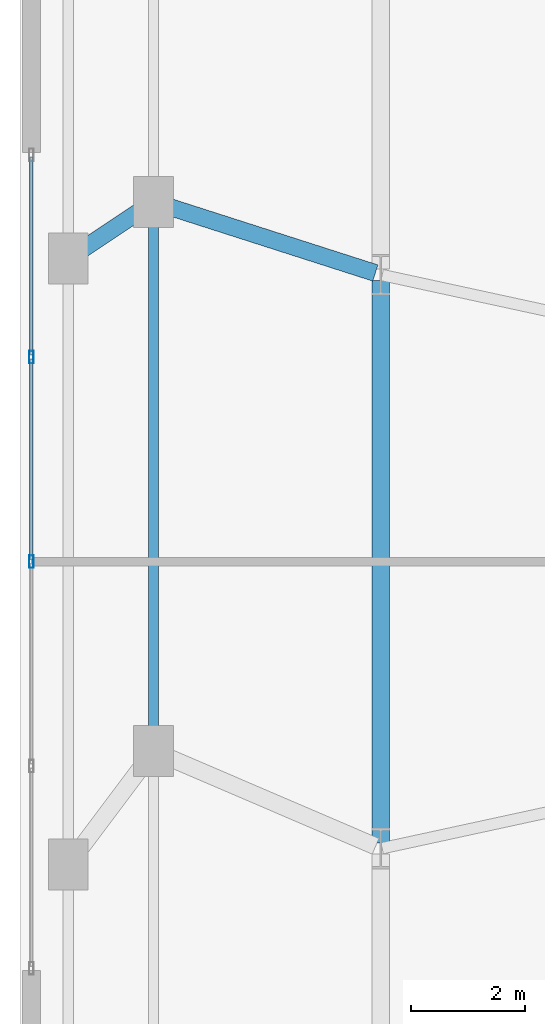
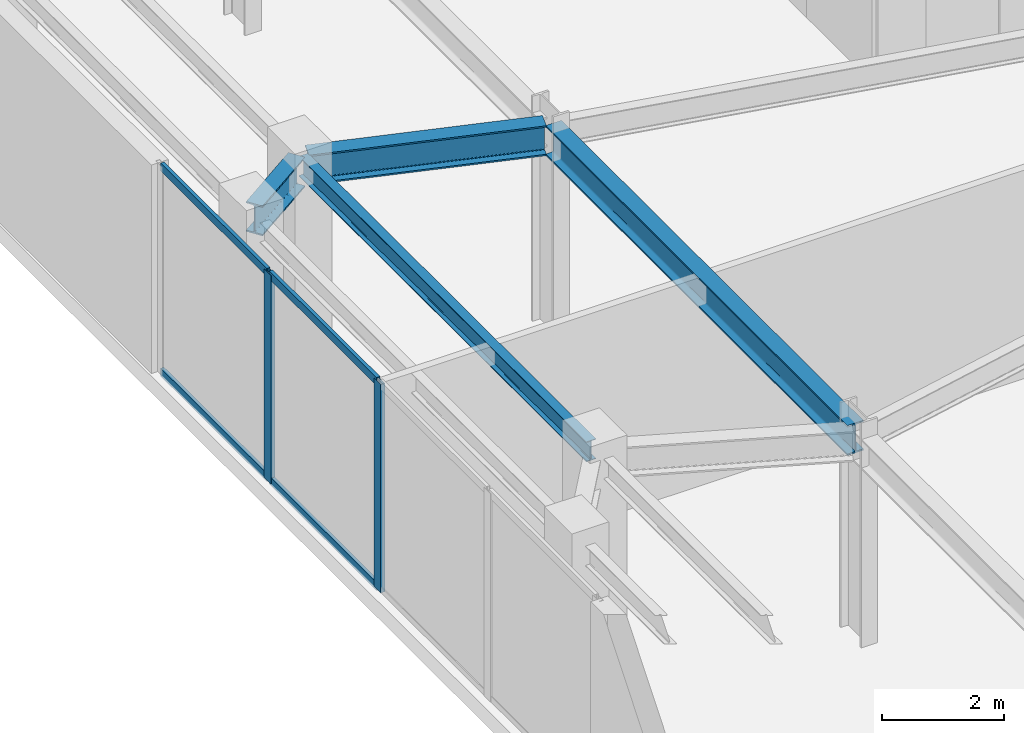
# One storey, part 7 of 23: 6 members, 4 beams, 1 element without a shape of its own.
"""IFC4 building model written with IfcOpenShell, lengths in metres."""

import ifcopenshell
import ifcopenshell.guid

model = None  # the IFC model being written
_history = None  # IfcOwnerHistory: only IFC2X3 demands one
_inside = {}  # id of a spatial element -> (the spatial element, [elements in it])
_under = {}  # id of a project, library or spatial element -> (it, [spatial elements below it])
_declared = {}  # id of a project -> (the project, [libraries it declares])
_typed = {}  # id of a type object -> (the type object, [elements of that type])
_made_of = {}  # id of a material, layer set ... -> (it, [elements and type objects made of it])


def new_model(schema):
    """Start an empty IFC model of exactly this schema.

    Asked for "IFC4X3", IfcOpenShell would pick the latest addendum, in which some entities
    have other attributes; the version numbers below select the first issue.
    IFC2X3 requires an IfcOwnerHistory on every rooted entity: one is made here for all.
    """
    global model, _history
    if schema == "IFC4X3":
        model = ifcopenshell.file(schema_version=(4, 3, 0, 0))
    else:
        model = ifcopenshell.file(schema=schema)
    _inside.clear()
    _under.clear()
    _declared.clear()
    _typed.clear()
    _made_of.clear()
    _history = None
    if model.schema == "IFC2X3":
        org = make("IfcOrganization", Name="unknown")
        user = make(
            "IfcPersonAndOrganization",
            ThePerson=make("IfcPerson", FamilyName="unknown"),
            TheOrganization=org,
        )
        app = make(
            "IfcApplication",
            ApplicationDeveloper=org,
            Version="unknown",
            ApplicationFullName="unknown",
            ApplicationIdentifier="unknown",
        )
        _history = make(
            "IfcOwnerHistory",
            OwningUser=user,
            OwningApplication=app,
            ChangeAction="ADDED",
            CreationDate=0,
        )
    return model


def make(cls, **values):
    """One entity of the class cls with the attributes given. An attribute that is None is left unset."""
    return model.create_entity(
        cls, **{name: value for name, value in values.items() if value is not None}
    )


def rooted(cls, **values):
    """An entity with a GlobalId (a new one), such as an element, a storey or a relation."""
    return make(cls, GlobalId=ifcopenshell.guid.new(), OwnerHistory=_history, **values)


def si_unit(unit_type, name, prefix=None):
    """IfcSIUnit, for example si_unit("LENGTHUNIT", "METRE", prefix="MILLI")."""
    return make("IfcSIUnit", UnitType=unit_type, Prefix=prefix, Name=name)


def assignment(units):
    """IfcUnitAssignment: the units of a project."""
    return None if units is None else make("IfcUnitAssignment", Units=units)


def point(xyz):
    """IfcCartesianPoint."""
    return None if xyz is None else make("IfcCartesianPoint", Coordinates=xyz)


def direction(xyz):
    """IfcDirection."""
    return None if xyz is None else make("IfcDirection", DirectionRatios=xyz)


def frame(location, z_axis=None, x_axis=None):
    """IfcAxis2Placement3D, a coordinate frame: its origin and axes. An axis left out is left unset."""
    return make(
        "IfcAxis2Placement3D",
        Location=point(location),
        Axis=direction(z_axis),
        RefDirection=direction(x_axis),
    )


def frame_2d(location, x_axis=None):
    """IfcAxis2Placement2D, a coordinate frame in the plane: its origin and x axis."""
    return make(
        "IfcAxis2Placement2D", Location=point(location), RefDirection=direction(x_axis)
    )


def origin():
    """The frame at (0, 0, 0) with its axes left unset."""
    return frame((0.0, 0.0, 0.0))


def origin_2d():
    """The frame at (0, 0) in the plane with its x axis left unset."""
    return frame_2d((0.0, 0.0))


def place(relative_to, where):
    """IfcLocalPlacement: puts the frame where relative to a parent placement (None: the world)."""
    return make(
        "IfcLocalPlacement", PlacementRelTo=relative_to, RelativePlacement=where
    )


def context(
    kind, dimensions, precision=None, world=None, true_north=None, identifier=None
):
    """IfcGeometricRepresentationContext, for example the 3D "Model" context."""
    return make(
        "IfcGeometricRepresentationContext",
        ContextIdentifier=identifier,
        ContextType=kind,
        CoordinateSpaceDimension=dimensions,
        Precision=precision,
        WorldCoordinateSystem=world,
        TrueNorth=true_north,
    )


def subcontext(parent, identifier, kind, view, scale=None):
    """IfcGeometricRepresentationSubContext, for example "Body" below "Model"."""
    return make(
        "IfcGeometricRepresentationSubContext",
        ContextIdentifier=identifier,
        ContextType=kind,
        ParentContext=parent,
        TargetScale=scale,
        TargetView=view,
    )


def project(units=None, contexts=None):
    """IfcProject with its units and contexts."""
    return rooted(
        "IfcProject",
        Name="project",
        RepresentationContexts=contexts,
        UnitsInContext=assignment(units),
    )


def spatial(cls, under=None, at=None, **own):
    """A site, building, storey or space (cls), placed at a placement, below another one or the project."""
    s = rooted(cls, ObjectPlacement=at, **own)
    if under is not None:
        _under.setdefault(under.id(), (under, []))[1].append(s)
    return s


def profile(cls, at=None, kind="AREA", **sizes):
    """A parametric profile (cls). Its sizes go by their IFC names, for example OverallWidth=200.0."""
    return make(cls, ProfileType=kind, Position=at, **sizes)


def hollow_rectangle(**sizes):
    """IfcRectangleHollowProfileDef."""
    return profile("IfcRectangleHollowProfileDef", **sizes)


def i_section(**sizes):
    """IfcIShapeProfileDef."""
    return profile("IfcIShapeProfileDef", **sizes)


def extrude(swept, where, along, depth):
    """IfcExtrudedAreaSolid: the profile swept, set in the frame where, extruded along a direction by depth."""
    return make(
        "IfcExtrudedAreaSolid",
        SweptArea=swept,
        Position=where,
        ExtrudedDirection=direction(along),
        Depth=depth,
    )


def shape(context_of_items, identifier, shape_type, items):
    """IfcShapeRepresentation: the items that make up one representation, for example the "Body"."""
    return make(
        "IfcShapeRepresentation",
        ContextOfItems=context_of_items,
        RepresentationIdentifier=identifier,
        RepresentationType=shape_type,
        Items=items,
    )


def material(Name=None, Category=None):
    """IfcMaterial."""
    return make("IfcMaterial", Name=Name, Category=Category)


def layer(
    of_material, thickness, ventilated=None, Name=None, Category=None, Priority=None
):
    """IfcMaterialLayer: one layer of a wall or slab, of a material (None: an air gap)."""
    return make(
        "IfcMaterialLayer",
        Material=of_material,
        LayerThickness=thickness,
        IsVentilated=ventilated,
        Name=Name,
        Category=Category,
        Priority=Priority,
    )


def layer_set(layers, Name=None):
    """IfcMaterialLayerSet."""
    return make("IfcMaterialLayerSet", MaterialLayers=layers, LayerSetName=Name)


def material_profile(
    of_material, cross_section, Name=None, Category=None, Priority=None
):
    """IfcMaterialProfile: a cross section and its material."""
    return make(
        "IfcMaterialProfile",
        Name=Name,
        Material=of_material,
        Profile=cross_section,
        Priority=Priority,
        Category=Category,
    )


def profile_set(profiles, Name=None, composite=None):
    """IfcMaterialProfileSet."""
    return make(
        "IfcMaterialProfileSet",
        Name=Name,
        MaterialProfiles=profiles,
        CompositeProfile=composite,
    )


def made_of(thing, what):
    """Note that an element or type object is made of a material, layer set ...; save() writes the relation."""
    if what is not None:
        _made_of.setdefault(what.id(), (what, []))[1].append(thing)
    return thing


def type_object(cls, material=None, **own):
    """A type object (cls), such as IfcWallType, which elements share."""
    return made_of(rooted(cls, **own), material)


def element(
    cls,
    number,
    at=None,
    inside=None,
    cuts=None,
    type_object=None,
    material=None,
    context=None,
    identifier="Body",
    shape_type=None,
    held_by="IfcProductDefinitionShape",
    body=None,
    shapes=None,
    **own,
):
    """One element of the class cls, such as IfcWall. Its Tag is "e" and its number.

    at: its placement. inside: the storey or other place that contains it. cuts: it is an
    opening in that element (IfcRelVoidsElement). A single representation is given by context,
    identifier, shape_type and body (its items); several are given by shapes. held_by: the class
    of the entity that holds the representations. save() writes the other relations.
    """
    e = rooted(cls, Tag="e%d" % number, ObjectPlacement=at, **own)
    if body is not None:
        shapes = [shape(context, identifier, shape_type, body)]
    if shapes is not None:
        e.Representation = make(held_by, Representations=shapes)
    if inside is not None:
        _inside.setdefault(inside.id(), (inside, []))[1].append(e)
    if cuts is not None:
        rooted(
            "IfcRelVoidsElement", RelatingBuildingElement=cuts, RelatedOpeningElement=e
        )
    if type_object is not None:
        _typed.setdefault(type_object.id(), (type_object, []))[1].append(e)
    return made_of(e, material)


def aggregate(whole, parts):
    """IfcRelAggregates: a whole, such as a stair, and the parts it consists of."""
    return rooted("IfcRelAggregates", RelatingObject=whole, RelatedObjects=parts)


def save(model, path):
    """Write the relations noted so far, then the file.

    IfcRelAggregates (storeys below a building ...), IfcRelContainedInSpatialStructure (elements
    in a storey), IfcRelDefinesByType, IfcRelAssociatesMaterial and IfcRelDeclares: one each for
    every whole, place, type object, material and project.
    """
    for whole, parts in _under.values():
        aggregate(whole, parts)
    for where, things in _inside.values():
        rooted(
            "IfcRelContainedInSpatialStructure",
            RelatedElements=things,
            RelatingStructure=where,
        )
    for kind, things in _typed.values():
        rooted("IfcRelDefinesByType", RelatedObjects=things, RelatingType=kind)
    for what, things in _made_of.values():
        rooted("IfcRelAssociatesMaterial", RelatedObjects=things, RelatingMaterial=what)
    for by, libraries in _declared.values():
        rooted("IfcRelDeclares", RelatingContext=by, RelatedDefinitions=libraries)
    model.write(path)


model = new_model("IFC4")

# Units and contexts
model_context = context("Model", 3, precision=1e-05, world=origin(), true_north=direction((0.0, 1.0)))
body_context = subcontext(model_context, "Body", "Model", "MODEL_VIEW")
ifc_project = project(units=[si_unit("LENGTHUNIT", "METRE"), si_unit("AREAUNIT", "SQUARE_METRE"), si_unit("VOLUMEUNIT", "CUBIC_METRE"), si_unit("PLANEANGLEUNIT", "RADIAN"), si_unit("MASSUNIT", "GRAM", prefix="KILO")], contexts=[model_context])

# Site, building, storey
site_placement = place(None, origin())
site = spatial("IfcSite", under=ifc_project, at=site_placement, CompositionType="ELEMENT")
building_placement = place(site_placement, origin())
building = spatial("IfcBuilding", under=site, at=building_placement, Name="Qobustan Lattice House", CompositionType="ELEMENT")
storey_placement = place(building_placement, frame((0.0, 0.0, 9.0)))
storey = spatial("IfcBuildingStorey", under=building, at=storey_placement, Name="L02", CompositionType="ELEMENT", Elevation=9.0)

# Beams
ifc_material_1 = material(Name="Steel S355", Category="steel")
ifc_material_profile_1 = material_profile(ifc_material_1, i_section(OverallWidth=0.300048828125, OverallDepth=0.60009765625, WebThickness=0.015380859375, FlangeThickness=0.030029296875, FilletRadius=0.027099609375, at=origin_2d()), Name="HEB600")
ifc_profile_set_1 = profile_set([ifc_material_profile_1], Name="Steel S355")
beam_type_1 = type_object("IfcBeamType", Name="BM-POD-HEB600", PredefinedType="USERDEFINED", material=ifc_profile_set_1)
beam_1_placement = place(storey_placement, frame((-37.55029296875, 5.39990234375, 3.8701171875), z_axis=(0.832074324237, 0.554664149684, 0.0), x_axis=(-0.554664149684, 0.832074324237, 0.0)))
element("IfcBeam", 1, at=beam_1_placement, inside=storey, type_object=beam_type_1, Name="L02 setback tie girder PWL3", ObjectType="GIRDER", PredefinedType="USERDEFINED", context=body_context, shape_type="SweptSolid", body=[
    extrude(i_section(OverallWidth=0.300048828125, OverallDepth=0.60009765625, WebThickness=0.015380859375, FlangeThickness=0.030029296875, FilletRadius=0.027099609375, at=origin_2d()), origin(), (0.0, 0.0, 1.0), 1.56298828125),
])
beam_2_placement = place(storey_placement, frame((-32.14990234375, 4.949951171875, 3.8701171875), z_axis=(0.0, -1.0, 0.0), x_axis=(1.0, 0.0, 0.0)))
element("IfcBeam", 2, at=beam_2_placement, inside=storey, type_object=beam_type_1, Name="L02 tower base ring girder W2-W3", ObjectType="GIRDER", PredefinedType="USERDEFINED", context=body_context, shape_type="SweptSolid", body=[
    extrude(i_section(OverallWidth=0.300048828125, OverallDepth=0.60009765625, WebThickness=0.015380859375, FlangeThickness=0.030029296875, FilletRadius=0.027099609375, at=origin_2d()), origin(), (0.0, 0.0, 1.0), 9.89990234375),
])
beam_3_placement = place(storey_placement, frame((-36.03564453125, 6.296630859375, 3.8701171875), z_axis=(0.952198151545, -0.305481063561, 0.0), x_axis=(0.305481063561, 0.952198151545, 0.0)))
element("IfcBeam", 3, at=beam_3_placement, inside=storey, type_object=beam_type_1, Name="L02 podium radial girder PW3", ObjectType="GIRDER", PredefinedType="USERDEFINED", context=body_context, shape_type="SweptSolid", body=[
    extrude(i_section(OverallWidth=0.300048828125, OverallDepth=0.60009765625, WebThickness=0.015380859375, FlangeThickness=0.030029296875, FilletRadius=0.027099609375, at=origin_2d()), origin(), (0.0, 0.0, 1.0), 3.980712890625),
])
ifc_material_2 = material(Name="Steel S355", Category="steel")
ifc_material_profile_2 = material_profile(ifc_material_2, i_section(OverallWidth=0.179931640625, OverallDepth=0.39990234375, WebThickness=0.008544921875, FlangeThickness=0.013427734375, FilletRadius=0.02099609375, at=origin_2d()), Name="IPE400")
ifc_profile_set_2 = profile_set([ifc_material_profile_2], Name="Steel S355")
beam_type_2 = type_object("IfcBeamType", Name="BM-SPD-IPE400", PredefinedType="SPANDREL", material=ifc_profile_set_2)
beam_4_placement = place(storey_placement, frame((-36.14990234375, -3.21337890625, 3.969970703125), z_axis=(0.0, 1.0, 0.0), x_axis=(-1.0, 0.0, 0.0)))
element("IfcBeam", 4, at=beam_4_placement, inside=storey, type_object=beam_type_2, Name="L02 podium spandrel PW2-PW3", PredefinedType="SPANDREL", context=body_context, shape_type="SweptSolid", body=[
    extrude(i_section(OverallWidth=0.179931640625, OverallDepth=0.39990234375, WebThickness=0.008544921875, FlangeThickness=0.013427734375, FilletRadius=0.02099609375, at=origin_2d()), origin(), (0.0, 0.0, 1.0), 9.4267578125),
])

# Curtain wall, members
ifc_material_3 = material(Name="Anodised aluminium and low-E glazing", Category="aluminium")
ifc_layer = layer(ifc_material_3, 0.219970703125)
ifc_layer_set = layer_set([ifc_layer], Name="Anodised aluminium and low-E glazing")
curtain_wall_type = type_object("IfcCurtainWallType", Name="CW-POD-01", PredefinedType="USERDEFINED", material=ifc_layer_set)
curtain_wall_placement = place(storey_placement, origin())
curtain_wall = element("IfcCurtainWall", 5, at=curtain_wall_placement, inside=storey, type_object=curtain_wall_type, Name="L02 W podium colonnade curtain wall", ObjectType="CURTAIN WALL", PredefinedType="USERDEFINED")
ifc_material_4 = material(Name="Anodised aluminium EN AW-6063 T6", Category="aluminium")
ifc_material_profile_3 = material_profile(ifc_material_4, hollow_rectangle(XDim=0.080078125, YDim=0.219970703125, WallThickness=0.0048828125, at=origin_2d()), Name="CWM-220x80")
ifc_profile_set_3 = profile_set([ifc_material_profile_3], Name="Anodised aluminium EN AW-6063 T6")
member_type_1 = type_object("IfcMemberType", Name="CWM-MAIN-220", PredefinedType="MULLION", material=ifc_profile_set_3)
member_1_placement = place(storey_placement, frame((-38.300048828125, 0.0, 0.0), z_axis=(0.0, 0.0, 1.0), x_axis=(-1.0, 0.0, 0.0)))
member_1 = element("IfcMember", 6, at=member_1_placement, type_object=member_type_1, Name="CW-P1 mullion 3", PredefinedType="MULLION", context=body_context, shape_type="SweptSolid", body=[
    extrude(hollow_rectangle(XDim=0.080078125, YDim=0.219970703125, WallThickness=0.0048828125, at=origin_2d()), origin(), (0.0, 0.0, 1.0), 4.169921875),
])
member_2_placement = place(storey_placement, frame((-38.300048828125, 3.60009765625, 0.0), z_axis=(0.0, 0.0, 1.0), x_axis=(-1.0, 0.0, 0.0)))
member_2 = element("IfcMember", 7, at=member_2_placement, type_object=member_type_1, Name="CW-P1 mullion 4", PredefinedType="MULLION", context=body_context, shape_type="SweptSolid", body=[
    extrude(hollow_rectangle(XDim=0.080078125, YDim=0.219970703125, WallThickness=0.0048828125, at=origin_2d()), origin(), (0.0, 0.0, 1.0), 4.169921875),
])
ifc_material_5 = material(Name="Anodised aluminium EN AW-6063 T6", Category="aluminium")
ifc_material_profile_4 = material_profile(ifc_material_5, hollow_rectangle(XDim=0.06494140625, YDim=0.159912109375, WallThickness=0.00390625, at=origin_2d()), Name="CWT-160x65")
ifc_profile_set_4 = profile_set([ifc_material_profile_4], Name="Anodised aluminium EN AW-6063 T6")
member_type_2 = type_object("IfcMemberType", Name="CWT-HOR-160", PredefinedType="USERDEFINED", material=ifc_profile_set_4)
member_3_placement = place(storey_placement, frame((-38.300048828125, 0.0400390625, 0.032470703125), z_axis=(0.0, 1.0, 0.0), x_axis=(-1.0, 0.0, 0.0)))
member_3 = element("IfcMember", 8, at=member_3_placement, type_object=member_type_2, Name="CW-P1 transom 3.1", ObjectType="TRANSOM", PredefinedType="USERDEFINED", context=body_context, shape_type="SweptSolid", body=[
    extrude(hollow_rectangle(XDim=0.06494140625, YDim=0.159912109375, WallThickness=0.00390625, at=origin_2d()), origin(), (0.0, 0.0, 1.0), 3.52001953125),
])
member_4_placement = place(storey_placement, frame((-38.300048828125, 0.0400390625, 4.137451171875), z_axis=(0.0, 1.0, 0.0), x_axis=(-1.0, 0.0, 0.0)))
member_4 = element("IfcMember", 9, at=member_4_placement, type_object=member_type_2, Name="CW-P1 transom 3.2", ObjectType="TRANSOM", PredefinedType="USERDEFINED", context=body_context, shape_type="SweptSolid", body=[
    extrude(hollow_rectangle(XDim=0.06494140625, YDim=0.159912109375, WallThickness=0.00390625, at=origin_2d()), origin(), (0.0, 0.0, 1.0), 3.52001953125),
])
member_5_placement = place(storey_placement, frame((-38.300048828125, 3.639892578125, 0.032470703125), z_axis=(0.0, 1.0, 0.0), x_axis=(-1.0, 0.0, 0.0)))
member_5 = element("IfcMember", 10, at=member_5_placement, type_object=member_type_2, Name="CW-P1 transom 4.1", ObjectType="TRANSOM", PredefinedType="USERDEFINED", context=body_context, shape_type="SweptSolid", body=[
    extrude(hollow_rectangle(XDim=0.06494140625, YDim=0.159912109375, WallThickness=0.00390625, at=origin_2d()), origin(), (0.0, 0.0, 1.0), 3.480224609375),
])
member_6_placement = place(storey_placement, frame((-38.300048828125, 3.639892578125, 4.137451171875), z_axis=(0.0, 1.0, 0.0), x_axis=(-1.0, 0.0, 0.0)))
member_6 = element("IfcMember", 11, at=member_6_placement, type_object=member_type_2, Name="CW-P1 transom 4.2", ObjectType="TRANSOM", PredefinedType="USERDEFINED", context=body_context, shape_type="SweptSolid", body=[
    extrude(hollow_rectangle(XDim=0.06494140625, YDim=0.159912109375, WallThickness=0.00390625, at=origin_2d()), origin(), (0.0, 0.0, 1.0), 3.480224609375),
])
aggregate(curtain_wall, [member_1, member_2, member_3, member_4, member_5, member_6])

save(model, "model.ifc")
